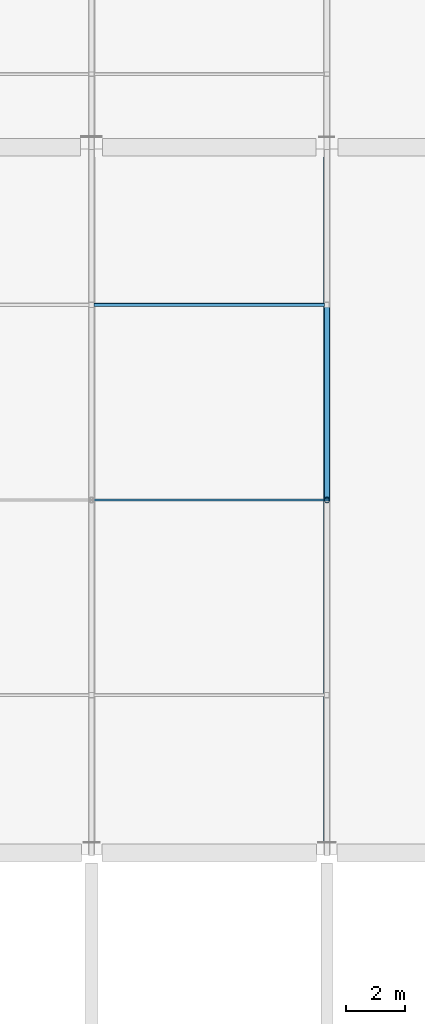
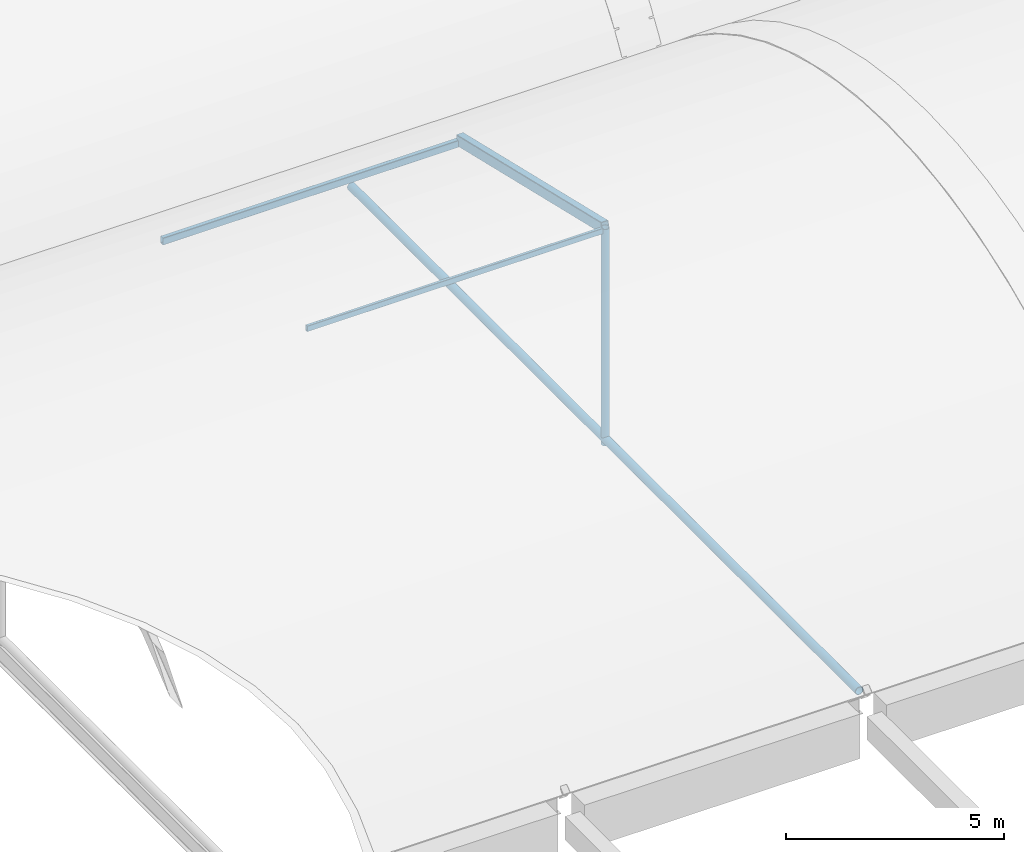
# One storey, part 7 of 57: 5 members.
"""IFC4 building model written with IfcOpenShell, lengths in metres."""

from ifc_helpers import new_model, si_unit, direction, frame, origin, origin_2d, place, context, subcontext, project, spatial, hollow_rectangle, hollow_circle, extrude, material, material_profile, profile_set, type_object, element, save


model = new_model("IFC4")

# Units and contexts
model_context = context("Model", 3, precision=1e-05, world=origin(), true_north=direction((0.0, 1.0)))
body_context = subcontext(model_context, "Body", "Model", "MODEL_VIEW")
ifc_project = project(units=[si_unit("LENGTHUNIT", "METRE"), si_unit("AREAUNIT", "SQUARE_METRE"), si_unit("VOLUMEUNIT", "CUBIC_METRE"), si_unit("PLANEANGLEUNIT", "RADIAN"), si_unit("MASSUNIT", "GRAM", prefix="KILO"), si_unit("THERMODYNAMICTEMPERATUREUNIT", "KELVIN"), si_unit("POWERUNIT", "WATT")], contexts=[model_context])

# Site, building, storey
site_placement = place(None, origin())
site = spatial("IfcSite", under=ifc_project, at=site_placement, CompositionType="ELEMENT")
building_placement = place(site_placement, origin())
building = spatial("IfcBuilding", under=site, at=building_placement, Name="Kronsvod Quay Wholesale Market", CompositionType="ELEMENT")
storey_placement = place(building_placement, frame((0.0, 0.0, 13.199951171875)))
storey = spatial("IfcBuildingStorey", under=building, at=storey_placement, Name="L03", CompositionType="ELEMENT", Elevation=13.199951171875)

# Members
ifc_material_1 = material(Name="Steel S355", Category="steel")
ifc_material_profile_1 = material_profile(ifc_material_1, hollow_rectangle(XDim=0.199951171875, YDim=0.300048828125, WallThickness=0.011962890625, InnerFilletRadius=0.011962890625, OuterFilletRadius=0.02392578125, at=origin_2d()), Name="RHS300x200x12")
ifc_profile_set_1 = profile_set([ifc_material_profile_1], Name="Steel S355")
member_type_1 = type_object("IfcMemberType", Name="Member_Arch300x200", PredefinedType="RAFTER", material=ifc_profile_set_1)
member_1_placement = place(storey_placement, frame((56.0, 66.0, 5.840087890625), z_axis=(0.0, 0.973251166163, -0.229743699723), x_axis=(-1.0, 0.0, 0.0)))
element("IfcMember", 1, at=member_1_placement, inside=storey, type_object=member_type_1, Name="ARCG-SH-V1W-M-560-2", PredefinedType="RAFTER", context=body_context, shape_type="SweptSolid", body=[
    extrude(hollow_rectangle(XDim=0.199951171875, YDim=0.300048828125, WallThickness=0.011962890625, InnerFilletRadius=0.011962890625, OuterFilletRadius=0.02392578125, at=origin_2d()), origin(), (0.0, 0.0, 1.0), 6.819091796875),
])
ifc_material_2 = material(Name="Steel S355", Category="steel")
ifc_material_profile_2 = material_profile(ifc_material_2, hollow_circle(Radius=0.096923828125, WallThickness=0.008056640625, at=origin_2d()), Name="CHS194x8")
ifc_profile_set_2 = profile_set([ifc_material_profile_2], Name="Steel S355")
member_type_2 = type_object("IfcMemberType", Name="Member_Brace194x8", PredefinedType="BRACE", material=ifc_profile_set_2)
member_2_placement = place(storey_placement, frame((56.0, 66.0, -0.22998046875), z_axis=(0.0, 0.0, 1.0), x_axis=(1.0, 0.0, 0.0)))
element("IfcMember", 2, at=member_2_placement, inside=storey, type_object=member_type_2, Name="KPST-SH-V1W-M-560", PredefinedType="BRACE", context=body_context, shape_type="SweptSolid", body=[
    extrude(hollow_circle(Radius=0.096923828125, WallThickness=0.008056640625, at=origin_2d()), origin(), (0.0, 0.0, 1.0), 6.070068359375),
])
ifc_material_3 = material(Name="Steel S355", Category="steel")
ifc_material_profile_3 = material_profile(ifc_material_3, hollow_circle(Radius=0.109619140625, WallThickness=0.010009765625, at=origin_2d()), Name="CHS219x10")
ifc_profile_set_3 = profile_set([ifc_material_profile_3], Name="Steel S355")
member_type_3 = type_object("IfcMemberType", Name="Member_Chord219x10", PredefinedType="CHORD", material=ifc_profile_set_3)
member_3_placement = place(storey_placement, frame((56.0, 54.340087890625, -0.079833984375), z_axis=(0.0, 1.0, 0.0), x_axis=(-1.0, 0.0, 0.0)))
element("IfcMember", 3, at=member_3_placement, inside=storey, type_object=member_type_3, Name="CHDG-SH-V1W-M-560", PredefinedType="CHORD", context=body_context, shape_type="SweptSolid", body=[
    extrude(hollow_circle(Radius=0.109619140625, WallThickness=0.010009765625, at=origin_2d()), origin(), (0.0, 0.0, 1.0), 23.31982421875),
])
ifc_material_4 = material(Name="Steel S355", Category="steel")
ifc_material_profile_4 = material_profile(ifc_material_4, hollow_rectangle(XDim=0.1201171875, YDim=0.199951171875, WallThickness=0.008056640625, InnerFilletRadius=0.008056640625, OuterFilletRadius=0.01611328125, at=origin_2d()), Name="RHS200x120x8")
ifc_profile_set_4 = profile_set([ifc_material_profile_4], Name="Steel S355")
member_type_4 = type_object("IfcMemberType", Name="Member_Girt200x120", PredefinedType="PURLIN", material=ifc_profile_set_4)
member_4_placement = place(storey_placement, frame((48.080078125, 72.63671875, 4.21337890625), z_axis=(1.0, 0.0, 0.0), x_axis=(0.0, 1.0, 0.0)))
element("IfcMember", 4, at=member_4_placement, inside=storey, type_object=member_type_4, Name="PRLG-SH-V1W-M-1-2", PredefinedType="PURLIN", context=body_context, shape_type="SweptSolid", body=[
    extrude(hollow_rectangle(XDim=0.1201171875, YDim=0.199951171875, WallThickness=0.008056640625, InnerFilletRadius=0.008056640625, OuterFilletRadius=0.01611328125, at=origin_2d()), origin(), (0.0, 0.0, 1.0), 7.83984375),
])
ifc_material_5 = material(Name="Steel S355", Category="steel")
ifc_material_profile_5 = material_profile(ifc_material_5, hollow_rectangle(XDim=0.080078125, YDim=0.159912109375, WallThickness=0.006103515625, InnerFilletRadius=0.006103515625, OuterFilletRadius=0.011962890625, at=origin_2d()), Name="RHS160x80x6")
ifc_profile_set_5 = profile_set([ifc_material_profile_5], Name="Steel S355")
member_type_5 = type_object("IfcMemberType", Name="Member_Purlin160x80", PredefinedType="PURLIN", material=ifc_profile_set_5)
member_5_placement = place(storey_placement, frame((48.080078125, 66.0, 5.780029296875), z_axis=(1.0, 0.0, 0.0), x_axis=(0.0, 1.0, 0.0)))
element("IfcMember", 5, at=member_5_placement, inside=storey, type_object=member_type_5, Name="PRLG-SH-V1W-M-1-1", PredefinedType="PURLIN", context=body_context, shape_type="SweptSolid", body=[
    extrude(hollow_rectangle(XDim=0.080078125, YDim=0.159912109375, WallThickness=0.006103515625, InnerFilletRadius=0.006103515625, OuterFilletRadius=0.011962890625, at=origin_2d()), origin(), (0.0, 0.0, 1.0), 7.83984375),
])

save(model, "model.ifc")
